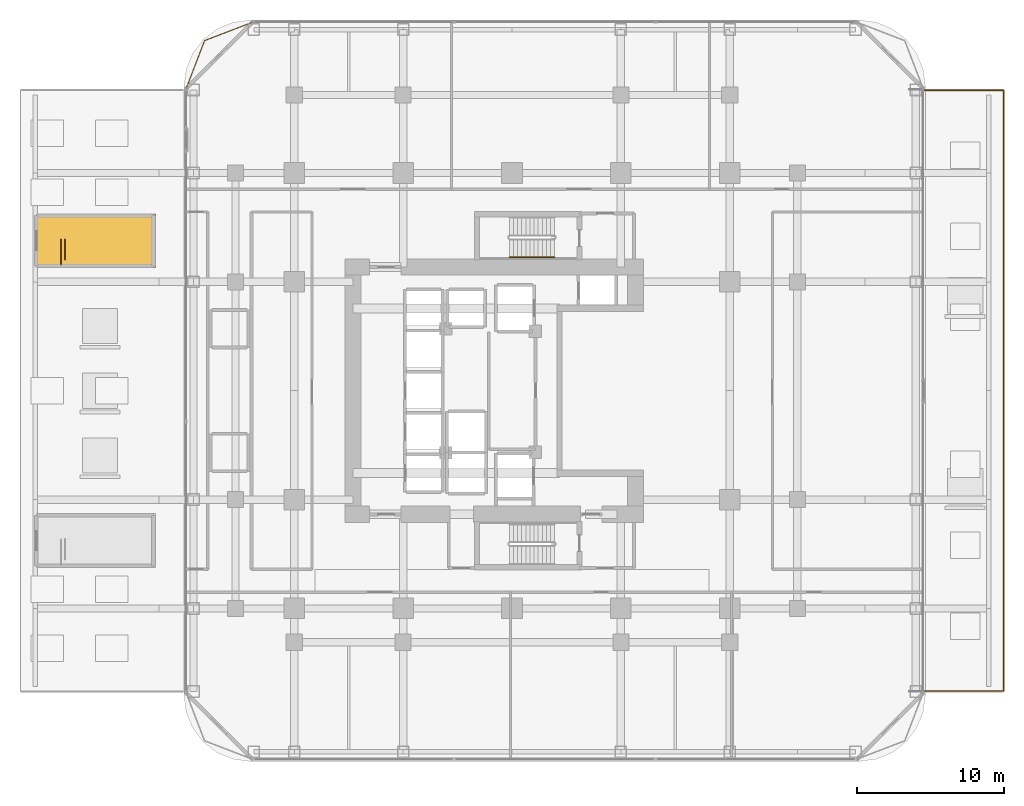
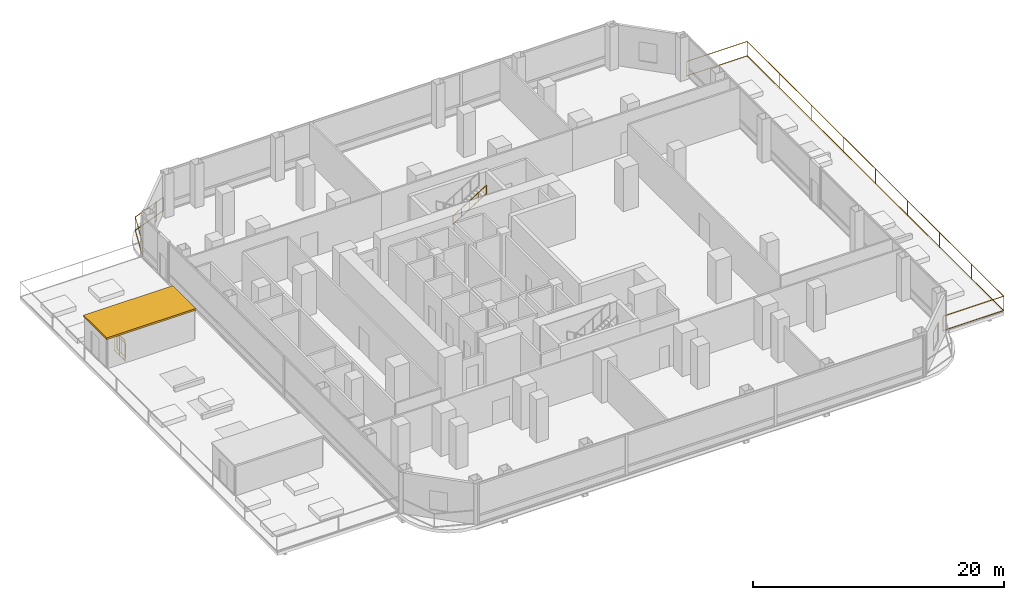
# One storey, part 28 of 29: 5 railings, 1 shading device.
"""IFC4 building model written with IfcOpenShell, lengths in metres."""

from ifc_helpers import new_model, si_unit, direction, frame, origin, origin_2d, place, context, subcontext, project, spatial, polyline, rectangle, outline, extrude, material, layer, layer_set, type_object, element, save


model = new_model("IFC4")

# Units and contexts
model_context = context("Model", 3, precision=1e-05, world=origin(), true_north=direction((0.0, 1.0)))
body_context = subcontext(model_context, "Body", "Model", "MODEL_VIEW")
ifc_project = project(units=[si_unit("LENGTHUNIT", "METRE"), si_unit("AREAUNIT", "SQUARE_METRE"), si_unit("VOLUMEUNIT", "CUBIC_METRE"), si_unit("PLANEANGLEUNIT", "RADIAN"), si_unit("MASSUNIT", "GRAM", prefix="KILO")], contexts=[model_context])

# Site, building, storey
site_placement = place(None, origin())
site = spatial("IfcSite", under=ifc_project, at=site_placement, CompositionType="ELEMENT")
building_placement = place(site_placement, origin())
building = spatial("IfcBuilding", under=site, at=building_placement, Name="Khorvyn Point Tower", CompositionType="ELEMENT")
storey_placement = place(building_placement, frame((0.0, 0.0, 26.39990234375)))
storey = spatial("IfcBuildingStorey", under=building, at=storey_placement, Name="L07", CompositionType="ELEMENT", Elevation=26.39990234375)

# Shading device
ifc_material_1 = material(Name="Bronze anodised aluminium 6063-T6", Category="aluminium")
ifc_layer = layer(ifc_material_1, 0.139892578125)
ifc_layer_set = layer_set([ifc_layer], Name="Anodised Aluminium Horizontal Monsoon Sunshade Canopy")
shading_device_type = type_object("IfcShadingDeviceType", Name="Anodised Aluminium Horizontal Monsoon Sunshade Canopy", PredefinedType="AWNING", material=ifc_layer_set)
shading_device_placement = place(storey_placement, frame((0.0, 0.0, 2.840087890625)))
element("IfcShadingDevice", 1, at=shading_device_placement, inside=storey, type_object=shading_device_type, Name="L07 STS2 Headhouse Weather Canopy", PredefinedType="AWNING", context=body_context, shape_type="SweptSolid", body=[
    extrude(outline(polyline([(-32.449951171875, 8.360107421875), (-24.25, 8.360107421875), (-24.25, 12.02001953125), (-32.449951171875, 12.02001953125), (-32.449951171875, 8.360107421875)])), origin(), (0.0, 0.0, 1.0), 0.179931640625),
])

# Railings
ifc_material_2 = material(Name="Anodised aluminium 6063-T6 and laminated safety glass", Category="aluminium")
railing_type_1 = type_object("IfcRailingType", Name="Laminated Glass and Aluminium Balcony Guardrail 1400", PredefinedType="BALUSTRADE", material=ifc_material_2)
railing_1_placement = place(storey_placement, frame((-17.57080078125, 25.073974609375, 0.0)))
element("IfcRailing", 2, at=railing_1_placement, inside=storey, type_object=railing_type_1, Name="L07 Rounded Corner Edge Guardrail NW", PredefinedType="BALUSTRADE", context=body_context, shape_type="SweptSolid", body=[
    extrude(rectangle(XDim=0.048095703125, YDim=0.048095703125, at=origin_2d()), frame((0.0, 0.0, 1.3759765625), z_axis=(-0.933583807283, -0.358359142172, 0.0), x_axis=(0.358359142172, -0.933583807283, 0.0)), (0.0, 0.0, 1.0), 3.56298828125),
    extrude(rectangle(XDim=0.048095703125, YDim=0.048095703125, at=origin_2d()), frame((0.0, 0.0, 0.080078125), z_axis=(-0.933583807283, -0.358359142172, 0.0), x_axis=(0.358359142172, -0.933583807283, 0.0)), (0.0, 0.0, 1.0), 3.56298828125),
    extrude(rectangle(XDim=0.048095703125, YDim=0.048095703125, at=origin_2d()), frame((-3.326416015625, -1.27685546875, 1.3759765625), z_axis=(-0.358359142172, -0.933583807283, 0.0), x_axis=(0.933583807283, -0.358359142172, 0.0)), (0.0, 0.0, 1.0), 3.56298828125),
    extrude(rectangle(XDim=0.048095703125, YDim=0.048095703125, at=origin_2d()), frame((-3.326416015625, -1.27685546875, 0.080078125), z_axis=(-0.358359142172, -0.933583807283, 0.0), x_axis=(0.933583807283, -0.358359142172, 0.0)), (0.0, 0.0, 1.0), 3.56298828125),
    extrude(rectangle(XDim=0.0419921875, YDim=0.0419921875, at=origin_2d()), origin(), (0.0, 0.0, 1.0), 1.351806640625),
    extrude(rectangle(XDim=0.0419921875, YDim=0.0419921875, at=origin_2d()), frame((-3.326416015625, -1.27685546875, 0.0)), (0.0, 0.0, 1.0), 1.351806640625),
    extrude(rectangle(XDim=0.0419921875, YDim=0.0419921875, at=origin_2d()), frame((-4.603271484375, -4.603271484375, 0.0)), (0.0, 0.0, 1.0), 1.351806640625),
])
ifc_material_3 = material(Name="Stainless steel 1.4401", Category="steel")
railing_type_2 = type_object("IfcRailingType", Name="School Terrace Anti-Climb Safety Guardrail 1500", PredefinedType="GUARDRAIL", material=ifc_material_3)
railing_2_placement = place(storey_placement, frame((27.85009765625, -20.419921875, 0.0)))
element("IfcRailing", 3, at=railing_2_placement, inside=storey, type_object=railing_type_2, Name="L07 East Botanical Garden Perimeter Guardrail", PredefinedType="GUARDRAIL", context=body_context, shape_type="SweptSolid", body=[
    extrude(rectangle(XDim=0.048095703125, YDim=0.048095703125, at=origin_2d()), frame((0.0, 0.0, 1.47607421875), z_axis=(1.0, 0.0, 0.0), x_axis=(0.0, 1.0, 0.0)), (0.0, 0.0, 1.0), 5.56982421875),
    extrude(rectangle(XDim=0.048095703125, YDim=0.048095703125, at=origin_2d()), frame((0.0, 0.0, 0.080078125), z_axis=(1.0, 0.0, 0.0), x_axis=(0.0, 1.0, 0.0)), (0.0, 0.0, 1.0), 5.56982421875),
    extrude(rectangle(XDim=0.048095703125, YDim=0.048095703125, at=origin_2d()), frame((5.56982421875, 0.0, 1.47607421875), z_axis=(0.0, 1.0, 0.0), x_axis=(-1.0, 0.0, 0.0)), (0.0, 0.0, 1.0), 40.83984375),
    extrude(rectangle(XDim=0.048095703125, YDim=0.048095703125, at=origin_2d()), frame((5.56982421875, 0.0, 0.080078125), z_axis=(0.0, 1.0, 0.0), x_axis=(-1.0, 0.0, 0.0)), (0.0, 0.0, 1.0), 40.83984375),
    extrude(rectangle(XDim=0.048095703125, YDim=0.048095703125, at=origin_2d()), frame((5.56982421875, 40.83984375, 1.47607421875), z_axis=(-1.0, 0.0, 0.0), x_axis=(0.0, -1.0, 0.0)), (0.0, 0.0, 1.0), 5.56982421875),
    extrude(rectangle(XDim=0.048095703125, YDim=0.048095703125, at=origin_2d()), frame((5.56982421875, 40.83984375, 0.080078125), z_axis=(-1.0, 0.0, 0.0), x_axis=(0.0, -1.0, 0.0)), (0.0, 0.0, 1.0), 5.56982421875),
    extrude(rectangle(XDim=0.0419921875, YDim=0.0419921875, at=origin_2d()), origin(), (0.0, 0.0, 1.0), 1.451904296875),
    extrude(rectangle(XDim=0.0419921875, YDim=0.0419921875, at=origin_2d()), frame((5.56982421875, 0.0, 0.0)), (0.0, 0.0, 1.0), 1.451904296875),
    extrude(rectangle(XDim=0.0419921875, YDim=0.0419921875, at=origin_2d()), frame((5.56982421875, 5.10498046875, 0.0)), (0.0, 0.0, 1.0), 1.451904296875),
    extrude(rectangle(XDim=0.0419921875, YDim=0.0419921875, at=origin_2d()), frame((5.56982421875, 10.2099609375, 0.0)), (0.0, 0.0, 1.0), 1.451904296875),
    extrude(rectangle(XDim=0.0419921875, YDim=0.0419921875, at=origin_2d()), frame((5.56982421875, 15.31494140625, 0.0)), (0.0, 0.0, 1.0), 1.451904296875),
    extrude(rectangle(XDim=0.0419921875, YDim=0.0419921875, at=origin_2d()), frame((5.56982421875, 20.419921875, 0.0)), (0.0, 0.0, 1.0), 1.451904296875),
    extrude(rectangle(XDim=0.0419921875, YDim=0.0419921875, at=origin_2d()), frame((5.56982421875, 25.52490234375, 0.0)), (0.0, 0.0, 1.0), 1.451904296875),
    extrude(rectangle(XDim=0.0419921875, YDim=0.0419921875, at=origin_2d()), frame((5.56982421875, 30.6298828125, 0.0)), (0.0, 0.0, 1.0), 1.451904296875),
    extrude(rectangle(XDim=0.0419921875, YDim=0.0419921875, at=origin_2d()), frame((5.56982421875, 35.73486328125, 0.0)), (0.0, 0.0, 1.0), 1.451904296875),
    extrude(rectangle(XDim=0.0419921875, YDim=0.0419921875, at=origin_2d()), frame((5.56982421875, 40.83984375, 0.0)), (0.0, 0.0, 1.0), 1.451904296875),
    extrude(rectangle(XDim=0.0419921875, YDim=0.0419921875, at=origin_2d()), frame((0.0, 40.83984375, 0.0)), (0.0, 0.0, 1.0), 1.451904296875),
])
ifc_material_4 = material(Name="Stainless steel 1.4301", Category="steel")
railing_type_3 = type_object("IfcRailingType", Name="Stainless Steel 304 Stair Pitch Handrail 900", PredefinedType="HANDRAIL", material=ifc_material_4)
railing_3_placement = place(storey_placement, frame((-0.179931640625, 9.070068359375, 2.275146484375)))
element("IfcRailing", 4, at=railing_3_placement, inside=storey, type_object=railing_type_3, Name="L07 ST-02 stair handrail 2", PredefinedType="HANDRAIL", context=body_context, shape_type="SweptSolid", body=[
    extrude(rectangle(XDim=0.048095703125, YDim=0.048095703125, at=origin_2d()), frame((0.0, 0.0, 0.8759765625), z_axis=(0.847979421464, 0.0, 0.530029150871), x_axis=(0.0, 1.0, 0.0)), (0.0, 0.0, 1.0), 3.632080078125),
    extrude(rectangle(XDim=0.048095703125, YDim=0.048095703125, at=origin_2d()), frame((0.0, 0.0, 0.080078125), z_axis=(0.847979421464, 0.0, 0.530029150871), x_axis=(0.0, 1.0, 0.0)), (0.0, 0.0, 1.0), 3.632080078125),
    extrude(rectangle(XDim=0.0419921875, YDim=0.0419921875, at=origin_2d()), origin(), (0.0, 0.0, 1.0), 0.851806640625),
    extrude(rectangle(XDim=0.0419921875, YDim=0.0419921875, at=origin_2d()), frame((0.77001953125, 0.0, 0.481201171875)), (0.0, 0.0, 1.0), 0.851806640625),
    extrude(rectangle(XDim=0.0419921875, YDim=0.0419921875, at=origin_2d()), frame((1.5400390625, 0.0, 0.96240234375)), (0.0, 0.0, 1.0), 0.851806640625),
    extrude(rectangle(XDim=0.0419921875, YDim=0.0419921875, at=origin_2d()), frame((2.309814453125, 0.0, 1.44384765625)), (0.0, 0.0, 1.0), 0.851806640625),
    extrude(rectangle(XDim=0.0419921875, YDim=0.0419921875, at=origin_2d()), frame((3.079833984375, 0.0, 1.925048828125)), (0.0, 0.0, 1.0), 0.851806640625),
])
railing_type_4 = type_object("IfcRailingType", Name="Stainless Steel 304 Stair Well Guardrail 1400", PredefinedType="GUARDRAIL", material=ifc_material_4)
railing_4_placement = place(storey_placement, frame((-30.64990234375, 8.56005859375, 0.0)))
element("IfcRailing", 5, at=railing_4_placement, inside=storey, type_object=railing_type_4, Name="L07 ST-S2 top well guard 1", PredefinedType="GUARDRAIL", context=body_context, shape_type="SweptSolid", body=[
    extrude(rectangle(XDim=0.048095703125, YDim=0.048095703125, at=origin_2d()), frame((0.0, 0.0, 2.02587890625), z_axis=(0.0, 1.0, 0.0), x_axis=(-1.0, 0.0, 0.0)), (0.0, 0.0, 1.0), 1.7099609375),
    extrude(rectangle(XDim=0.048095703125, YDim=0.048095703125, at=origin_2d()), frame((0.0, 0.0, 0.080078125), z_axis=(0.0, 1.0, 0.0), x_axis=(-1.0, 0.0, 0.0)), (0.0, 0.0, 1.0), 1.7099609375),
    extrude(rectangle(XDim=0.0419921875, YDim=0.0419921875, at=origin_2d()), origin(), (0.0, 0.0, 1.0), 2.001953125),
    extrude(rectangle(XDim=0.0419921875, YDim=0.0419921875, at=origin_2d()), frame((0.0, 0.85498046875, 0.0)), (0.0, 0.0, 1.0), 2.001953125),
    extrude(rectangle(XDim=0.0419921875, YDim=0.0419921875, at=origin_2d()), frame((0.0, 1.7099609375, 0.0)), (0.0, 0.0, 1.0), 2.001953125),
])
railing_5_placement = place(storey_placement, frame((-30.3798828125, 8.909912109375, 0.0)))
element("IfcRailing", 6, at=railing_5_placement, inside=storey, type_object=railing_type_4, Name="L07 ST-S2 Top-Well Lip Guardrail", PredefinedType="GUARDRAIL", context=body_context, shape_type="SweptSolid", body=[
    extrude(rectangle(XDim=0.048095703125, YDim=0.048095703125, at=origin_2d()), frame((0.0, 0.0, 1.3759765625), z_axis=(0.0, 1.0, 0.0), x_axis=(-1.0, 0.0, 0.0)), (0.0, 0.0, 1.0), 1.380126953125),
    extrude(rectangle(XDim=0.048095703125, YDim=0.048095703125, at=origin_2d()), frame((0.0, 0.0, 0.080078125), z_axis=(0.0, 1.0, 0.0), x_axis=(-1.0, 0.0, 0.0)), (0.0, 0.0, 1.0), 1.380126953125),
    extrude(rectangle(XDim=0.0419921875, YDim=0.0419921875, at=origin_2d()), origin(), (0.0, 0.0, 1.0), 1.351806640625),
    extrude(rectangle(XDim=0.0419921875, YDim=0.0419921875, at=origin_2d()), frame((0.0, 0.68994140625, 0.0)), (0.0, 0.0, 1.0), 1.351806640625),
    extrude(rectangle(XDim=0.0419921875, YDim=0.0419921875, at=origin_2d()), frame((0.0, 1.380126953125, 0.0)), (0.0, 0.0, 1.0), 1.351806640625),
])

save(model, "model.ifc")
